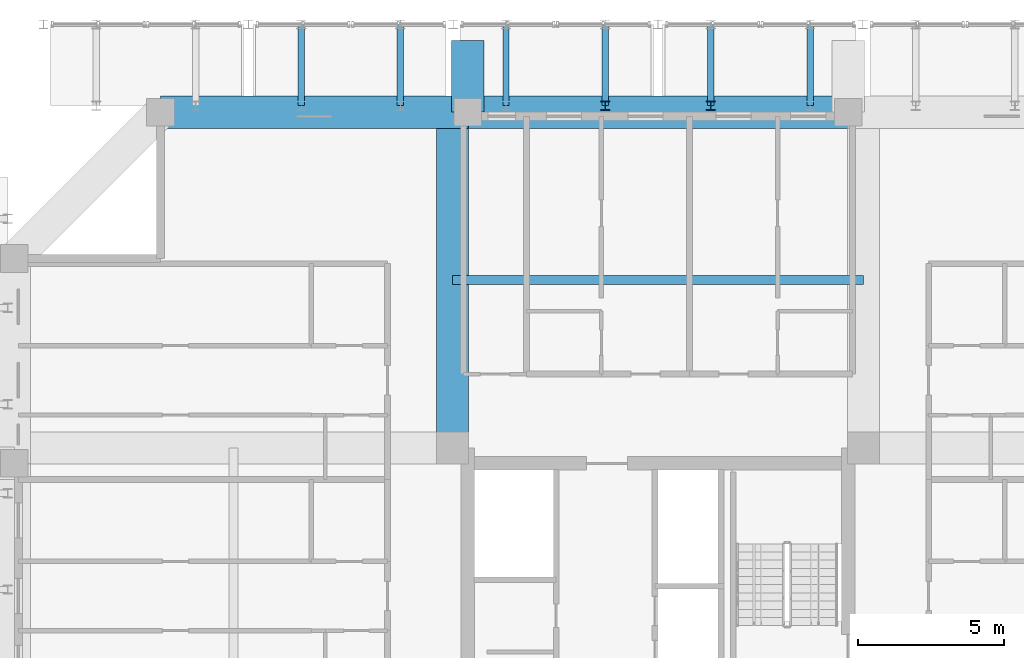
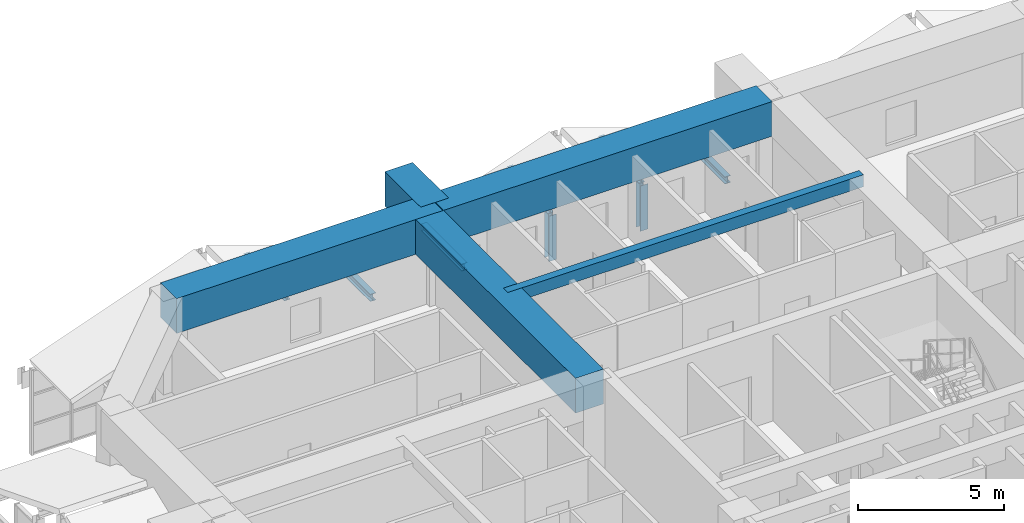
# One storey, part 22 of 45: 8 members, 5 beams.
"""IFC4 building model written with IfcOpenShell, lengths in metres."""

from ifc_helpers import new_model, si_unit, direction, frame, origin, origin_2d, place, context, subcontext, project, spatial, rectangle, i_section, extrude, source, transform, mapped, material, material_profile, profile_set, type_object, element, save


model = new_model("IFC4")

# Units and contexts
model_context = context("Model", 3, precision=1e-05, world=origin(), true_north=direction((0.0, 1.0)))
body_context = subcontext(model_context, "Body", "Model", "MODEL_VIEW")
ifc_project = project(units=[si_unit("LENGTHUNIT", "METRE"), si_unit("AREAUNIT", "SQUARE_METRE"), si_unit("VOLUMEUNIT", "CUBIC_METRE"), si_unit("PLANEANGLEUNIT", "RADIAN"), si_unit("MASSUNIT", "GRAM", prefix="KILO")], contexts=[model_context])

# Site, building, storey
site_placement = place(None, origin())
site = spatial("IfcSite", under=ifc_project, at=site_placement, CompositionType="ELEMENT")
building_placement = place(site_placement, origin())
building = spatial("IfcBuilding", under=site, at=building_placement, Name="Saelheon Loggia Tower", CompositionType="ELEMENT")
storey_placement = place(building_placement, frame((0.0, 0.0, 152.199951171875)))
storey = spatial("IfcBuildingStorey", under=building, at=storey_placement, Name="L48", CompositionType="ELEMENT", Elevation=152.199951171875)

# Members
ifc_material_1 = material(Name="Steel SM355", Category="steel")
ifc_material_profile_1 = material_profile(ifc_material_1, i_section(OverallWidth=0.219970703125, OverallDepth=0.300048828125, WebThickness=0.011962890625, FlangeThickness=0.02001953125, at=origin_2d()), Name="H-300x220x12x20")
ifc_profile_set_1 = profile_set([ifc_material_profile_1], Name="Steel SM355")
member_type_1 = type_object("IfcMemberType", Name="Roof_ShoulderPurlin_RHS300", PredefinedType="PURLIN", material=ifc_profile_set_1)
shared_shape_1 = source(origin(), body_context, "Body", "SweptSolid", [
    extrude(i_section(OverallWidth=0.219970703125, OverallDepth=0.300048828125, WebThickness=0.011962890625, FlangeThickness=0.02001953125, at=origin_2d()), origin(), (0.0, 0.0, 1.0), 2.780029296875),
])
for number, where, z_axis, x_axis, name in (
    (1, (25.8046875, 51.0, 1.837158203125), (0.0, -1.0, 0.0), (1.0, 0.0, 0.0), "Tier 1 Wave Crest Rafter N 02 A"),
    (2, (29.1953125, 51.0, 0.626220703125), (0.0, -1.0, 0.0), (1.0, 0.0, 0.0), "Tier 1 Wave Crest Rafter N 02 B"),
    (3, (32.8046875, 51.0, 0.626220703125), (0.0, -1.0, 0.0), (1.0, 0.0, 0.0), "Tier 1 Wave Crest Rafter N 03 A"),
    (4, (36.1953125, 51.0, 1.837158203125), (0.0, -1.0, 0.0), (1.0, 0.0, 0.0), "Tier 1 Wave Crest Rafter N 03 B"),
    (5, (39.8046875, 51.0, 1.837158203125), (0.0, -1.0, 0.0), (1.0, 0.0, 0.0), "Tier 1 Wave Crest Rafter N 04 A"),
    (6, (43.1953125, 51.0, 0.626220703125), (0.0, -1.0, 0.0), (1.0, 0.0, 0.0), "Tier 1 Wave Crest Rafter N 04 B"),
):
    element("IfcMember", number, at=place(storey_placement, frame(where, z_axis=z_axis, x_axis=x_axis)), inside=storey, type_object=member_type_1, Name=name, PredefinedType="PURLIN", context=body_context, shape_type="MappedRepresentation", body=[
        mapped(shared_shape_1, transform((0.0, 0.0, 0.0), scale=1.0)),
    ])
ifc_material_profile_2 = material_profile(ifc_material_1, i_section(OverallWidth=0.300048828125, OverallDepth=0.300048828125, WebThickness=0.010009765625, FlangeThickness=0.014892578125, at=origin_2d()), Name="H-300x300x10x15")
ifc_profile_set_2 = profile_set([ifc_material_profile_2], Name="Steel SM355")
member_type_2 = type_object("IfcMemberType", Name="Belt_Post_H300", PredefinedType="POST", material=ifc_profile_set_2)
shared_shape_2 = source(origin(), body_context, "Body", "SweptSolid", [
    extrude(i_section(OverallWidth=0.300048828125, OverallDepth=0.300048828125, WebThickness=0.010009765625, FlangeThickness=0.014892578125, at=origin_2d()), origin(), (0.0, 0.0, 1.0), 1.886962890625),
])
for number, where, z_axis, x_axis, name in (
    (7, (36.1953125, 48.219970703125, -0.199951171875), (0.0, 0.0, 1.0), (1.0, 0.0, 0.0), "Tier 1 Rafter Inner Post N 03"),
    (8, (39.8046875, 48.219970703125, -0.199951171875), (0.0, 0.0, 1.0), (1.0, 0.0, 0.0), "Tier 1 Rafter Inner Post N 04"),
):
    element("IfcMember", number, at=place(storey_placement, frame(where, z_axis=z_axis, x_axis=x_axis)), inside=storey, type_object=member_type_2, Name=name, PredefinedType="POST", context=body_context, shape_type="MappedRepresentation", body=[
        mapped(shared_shape_2, transform((0.0, 0.0, 0.0), scale=1.0)),
    ])

# Beams
ifc_material_2 = material(Name="Concrete C50/60", Category="concrete")
ifc_material_profile_3 = material_profile(ifc_material_2, rectangle(XDim=1.10009765625, YDim=1.449951171875, at=origin_2d()), Name="RC-1100x1450")
ifc_profile_set_3 = profile_set([ifc_material_profile_3], Name="Concrete C50/60")
beam_type_1 = type_object("IfcBeamType", Name="Beam_PerimTransfer_RC1100x1450", PredefinedType="BEAM", material=ifc_profile_set_3)
shared_shape_3 = source(origin(), body_context, "Body", "SweptSolid", [
    extrude(rectangle(XDim=1.10009765625, YDim=1.449951171875, at=origin_2d()), origin(), (0.0, 0.0, 1.0), 2.449951171875),
])
beam_1_placement = place(storey_placement, frame((31.5, 48.0, 3.175048828125), z_axis=(0.0, 1.0, 0.0), x_axis=(-1.0, 0.0, 0.0)))
element("IfcBeam", 9, at=beam_1_placement, inside=storey, type_object=beam_type_1, Name="L48 Loggia Transfer Tie Beam LP-N1", PredefinedType="BEAM", context=body_context, shape_type="MappedRepresentation", body=[
    mapped(shared_shape_3, transform((0.0, 0.0, 0.0), scale=1.0)),
])
ifc_material_3 = material(Name="Concrete C40/50", Category="concrete")
ifc_material_profile_4 = material_profile(ifc_material_3, rectangle(XDim=0.300048828125, YDim=0.5, at=origin_2d()), Name="RC-300x500")
ifc_profile_set_4 = profile_set([ifc_material_profile_4], Name="Concrete C40/50")
beam_type_2 = type_object("IfcBeamType", Name="Beam_Joist_RC300x500", PredefinedType="JOIST", material=ifc_profile_set_4)
shared_shape_4 = source(origin(), body_context, "Body", "SweptSolid", [
    extrude(rectangle(XDim=0.300048828125, YDim=0.5, at=origin_2d()), origin(), (0.0, 0.0, 1.0), 14.0400390625),
])
beam_2_placement = place(storey_placement, frame((30.97998046875, 42.260009765625, 3.650146484375), z_axis=(1.0, 0.0, 0.0), x_axis=(0.0, 1.0, 0.0)))
element("IfcBeam", 10, at=beam_2_placement, inside=storey, type_object=beam_type_2, Name="L48 North Floor Joist", PredefinedType="JOIST", context=body_context, shape_type="MappedRepresentation", body=[
    mapped(shared_shape_4, transform((0.0, 0.0, 0.0), scale=1.0)),
])
shared_shape_5 = source(origin(), body_context, "Body", "SweptSolid", [
    extrude(rectangle(XDim=1.10009765625, YDim=1.449951171875, at=origin_2d()), origin(), (0.0, 0.0, 1.0), 10.5),
])
beam_3_placement = place(storey_placement, frame((31.5, 48.0, 3.175048828125), z_axis=(-1.0, 0.0, 0.0), x_axis=(0.0, -1.0, 0.0)))
element("IfcBeam", 11, at=beam_3_placement, inside=storey, type_object=beam_type_1, Name="L48 Perimeter Frame Girder 11", PredefinedType="BEAM", context=body_context, shape_type="MappedRepresentation", body=[
    mapped(shared_shape_5, transform((0.0, 0.0, 0.0), scale=1.0)),
])
shared_shape_6 = source(origin(), body_context, "Body", "SweptSolid", [
    extrude(rectangle(XDim=1.10009765625, YDim=1.449951171875, at=origin_2d()), origin(), (0.0, 0.0, 1.0), 13.0),
])
beam_4_placement = place(storey_placement, frame((44.5, 48.0, 3.175048828125), z_axis=(-1.0, 0.0, 0.0), x_axis=(0.0, -1.0, 0.0)))
element("IfcBeam", 12, at=beam_4_placement, inside=storey, type_object=beam_type_1, Name="L48 Perimeter Frame Girder 10", PredefinedType="BEAM", context=body_context, shape_type="MappedRepresentation", body=[
    mapped(shared_shape_6, transform((0.0, 0.0, 0.0), scale=1.0)),
])
ifc_material_profile_5 = material_profile(ifc_material_2, rectangle(XDim=1.10009765625, YDim=1.449951171875, at=origin_2d()), Name="RC-1100x1450")
ifc_profile_set_5 = profile_set([ifc_material_profile_5], Name="Concrete C50/60")
beam_type_3 = type_object("IfcBeamType", Name="Beam_Transfer_RC1100x1450", PredefinedType="BEAM", material=ifc_profile_set_5)
shared_shape_7 = source(origin(), body_context, "Body", "SweptSolid", [
    extrude(rectangle(XDim=1.10009765625, YDim=1.449951171875, at=origin_2d()), origin(), (0.0, 0.0, 1.0), 11.47998046875),
])
beam_5_placement = place(storey_placement, frame((30.97998046875, 36.52001953125, 3.175048828125), z_axis=(0.0, 1.0, 0.0), x_axis=(-1.0, 0.0, 0.0)))
element("IfcBeam", 13, at=beam_5_placement, inside=storey, type_object=beam_type_3, Name="L48 Radial Floor Girder RAD-NW-N", PredefinedType="BEAM", context=body_context, shape_type="MappedRepresentation", body=[
    mapped(shared_shape_7, transform((0.0, 0.0, 0.0), scale=1.0)),
])

save(model, "model.ifc")
